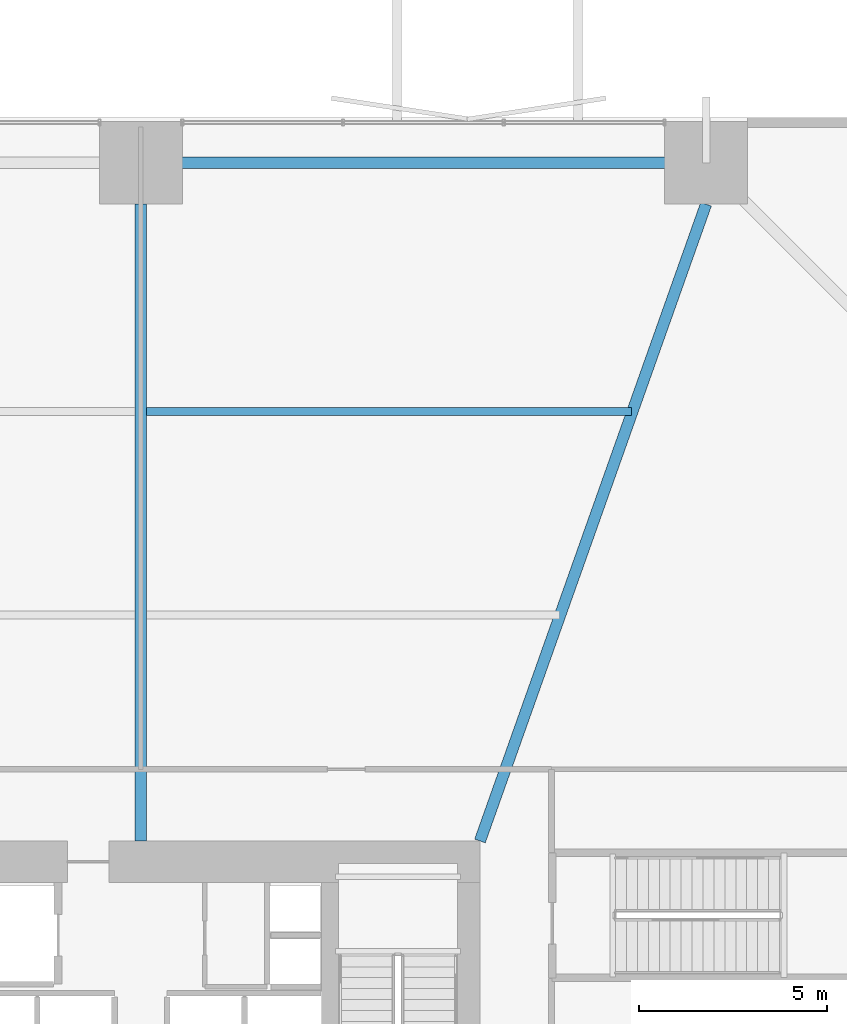
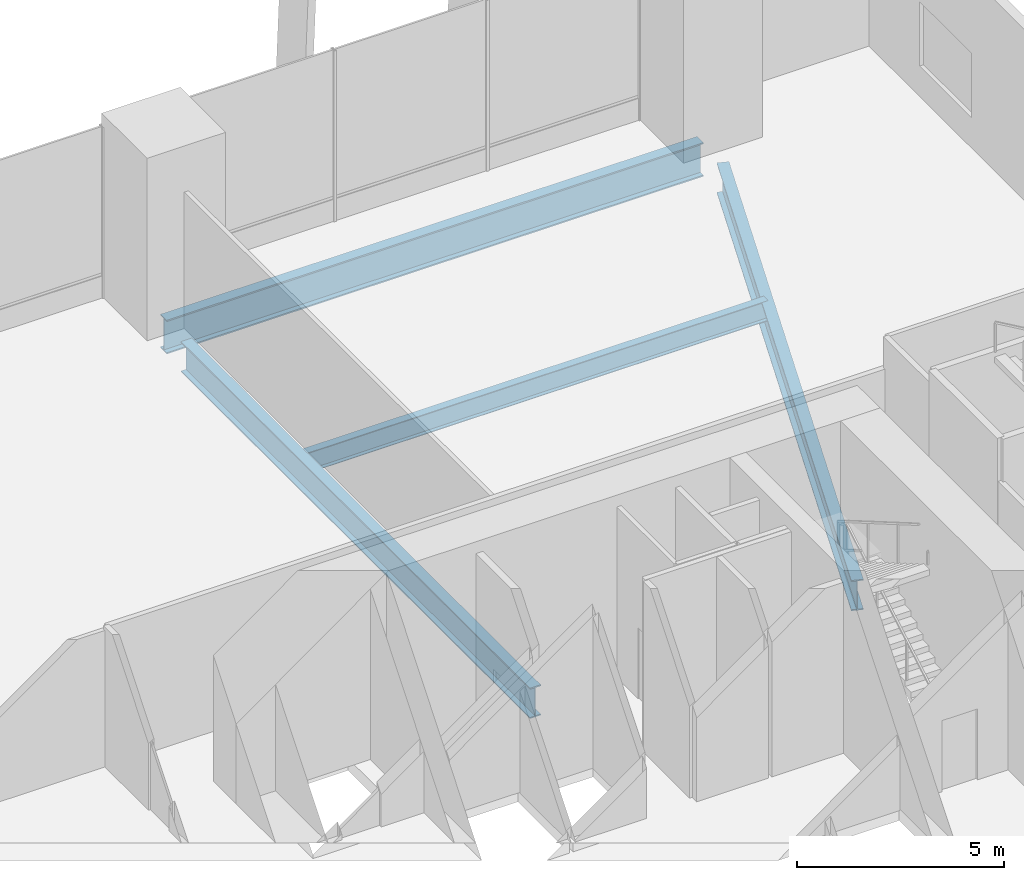
# One storey, part 16 of 24: 4 beams.
"""IFC4 building model written with IfcOpenShell, lengths in metres."""

from ifc_helpers import new_model, si_unit, direction, frame, origin, origin_2d, place, context, subcontext, project, spatial, i_section, extrude, material, material_profile, profile_set, type_object, element, save


model = new_model("IFC4")

# Units and contexts
model_context = context("Model", 3, precision=1e-05, world=origin(), true_north=direction((0.0, 1.0)))
body_context = subcontext(model_context, "Body", "Model", "MODEL_VIEW")
ifc_project = project(units=[si_unit("LENGTHUNIT", "METRE"), si_unit("AREAUNIT", "SQUARE_METRE"), si_unit("VOLUMEUNIT", "CUBIC_METRE"), si_unit("PLANEANGLEUNIT", "RADIAN"), si_unit("MASSUNIT", "GRAM", prefix="KILO")], contexts=[model_context])

# Site, building, storey
site_placement = place(None, origin())
site = spatial("IfcSite", under=ifc_project, at=site_placement, CompositionType="ELEMENT")
building_placement = place(site_placement, origin())
building = spatial("IfcBuilding", under=site, at=building_placement, Name="Belovzor Exchange Tower", CompositionType="ELEMENT")
storey_placement = place(building_placement, frame((0.0, 0.0, 13.800048828125)))
storey = spatial("IfcBuildingStorey", under=building, at=storey_placement, Name="L03", CompositionType="ELEMENT", Elevation=13.800048828125)

# Beams
ifc_material_1 = material(Name="Steel S460", Category="steel")
ifc_material_profile_1 = material_profile(ifc_material_1, i_section(OverallWidth=0.300048828125, OverallDepth=1.0, WebThickness=0.02099609375, FlangeThickness=0.0400390625, at=origin_2d()))
ifc_profile_set_1 = profile_set([ifc_material_profile_1], Name="Steel S460")
beam_type_1 = type_object("IfcBeamType", Name="Podium Exchange Hall Ring Girder HEM 1000", PredefinedType="BEAM", material=ifc_profile_set_1)
beam_1_placement = place(storey_placement, frame((43.800048828125, 55.800048828125, -0.85009765625), z_axis=(-1.0, 0.0, 0.0), x_axis=(0.0, -1.0, 0.0)))
element("IfcBeam", 1, at=beam_1_placement, inside=storey, type_object=beam_type_1, Name="PG-1 Podium Exchange Hall Ring Girder HEM 1000", PredefinedType="BEAM", context=body_context, shape_type="SweptSolid", body=[
    extrude(i_section(OverallWidth=0.300048828125, OverallDepth=1.0, WebThickness=0.02099609375, FlangeThickness=0.0400390625, at=origin_2d()), origin(), (0.0, 0.0, 1.0), 15.0),
])
ifc_material_2 = material(Name="Steel S460", Category="steel")
ifc_material_profile_2 = material_profile(ifc_material_2, i_section(OverallWidth=0.300048828125, OverallDepth=0.89990234375, WebThickness=0.0185546875, FlangeThickness=0.034912109375, at=origin_2d()))
ifc_profile_set_2 = profile_set([ifc_material_profile_2], Name="Steel S460")
beam_type_2 = type_object("IfcBeamType", Name="Podium Radial Clear-Span Girder HEB 900", PredefinedType="BEAM", material=ifc_profile_set_2)
beam_2_placement = place(storey_placement, frame((28.800048828125, 37.800048828125, -0.800048828125), z_axis=(0.0, 1.0, 0.0), x_axis=(-1.0, 0.0, 0.0)))
element("IfcBeam", 2, at=beam_2_placement, inside=storey, type_object=beam_type_2, Name="PG-2 Podium Radial Clear-Span Girder HEB 900", PredefinedType="BEAM", context=body_context, shape_type="SweptSolid", body=[
    extrude(i_section(OverallWidth=0.300048828125, OverallDepth=0.89990234375, WebThickness=0.0185546875, FlangeThickness=0.034912109375, at=origin_2d()), origin(), (0.0, 0.0, 1.0), 16.89990234375),
])
beam_3_placement = place(storey_placement, frame((37.800048828125, 37.800048828125, -0.800048828125), z_axis=(0.334571317861, 0.942370433144, 0.0), x_axis=(-0.942370433144, 0.334571317861, 0.0)))
element("IfcBeam", 3, at=beam_3_placement, inside=storey, type_object=beam_type_2, Name="PG-2 Podium Radial Clear-Span Girder HEB 900", PredefinedType="BEAM", context=body_context, shape_type="SweptSolid", body=[
    extrude(i_section(OverallWidth=0.300048828125, OverallDepth=0.89990234375, WebThickness=0.0185546875, FlangeThickness=0.034912109375, at=origin_2d()), origin(), (0.0, 0.0, 1.0), 17.933349609375),
])
ifc_material_3 = material(Name="Steel S355", Category="steel")
ifc_material_profile_3 = material_profile(ifc_material_3, i_section(OverallWidth=0.219970703125, OverallDepth=0.60009765625, WebThickness=0.011962890625, FlangeThickness=0.01904296875, at=origin_2d()))
ifc_profile_set_3 = profile_set([ifc_material_profile_3], Name="Steel S355")
beam_type_3 = type_object("IfcBeamType", Name="Podium Secondary Composite Floor Beam IPE 600", PredefinedType="BEAM", material=ifc_profile_set_3)
beam_4_placement = place(storey_placement, frame((28.949951171875, 49.199951171875, -0.650146484375), z_axis=(1.0, 0.0, 0.0), x_axis=(0.0, 1.0, 0.0)))
element("IfcBeam", 4, at=beam_4_placement, inside=storey, type_object=beam_type_3, Name="FB-600 Podium Secondary Composite Floor Beam IPE 600", PredefinedType="BEAM", context=body_context, shape_type="SweptSolid", body=[
    extrude(i_section(OverallWidth=0.219970703125, OverallDepth=0.60009765625, WebThickness=0.011962890625, FlangeThickness=0.01904296875, at=origin_2d()), origin(), (0.0, 0.0, 1.0), 12.876953125),
])

save(model, "model.ifc")
